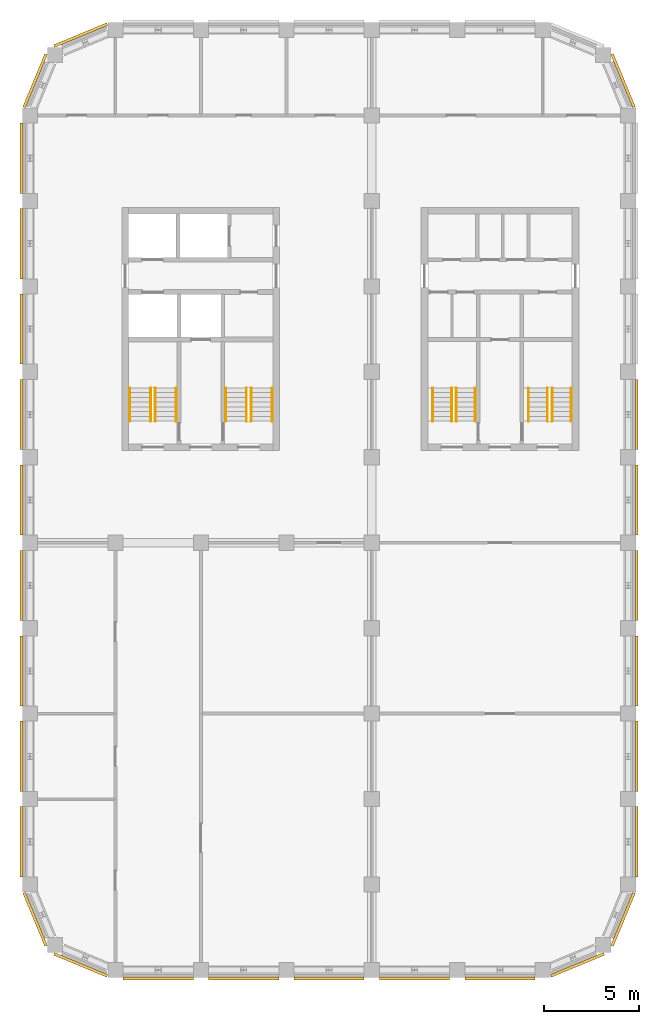
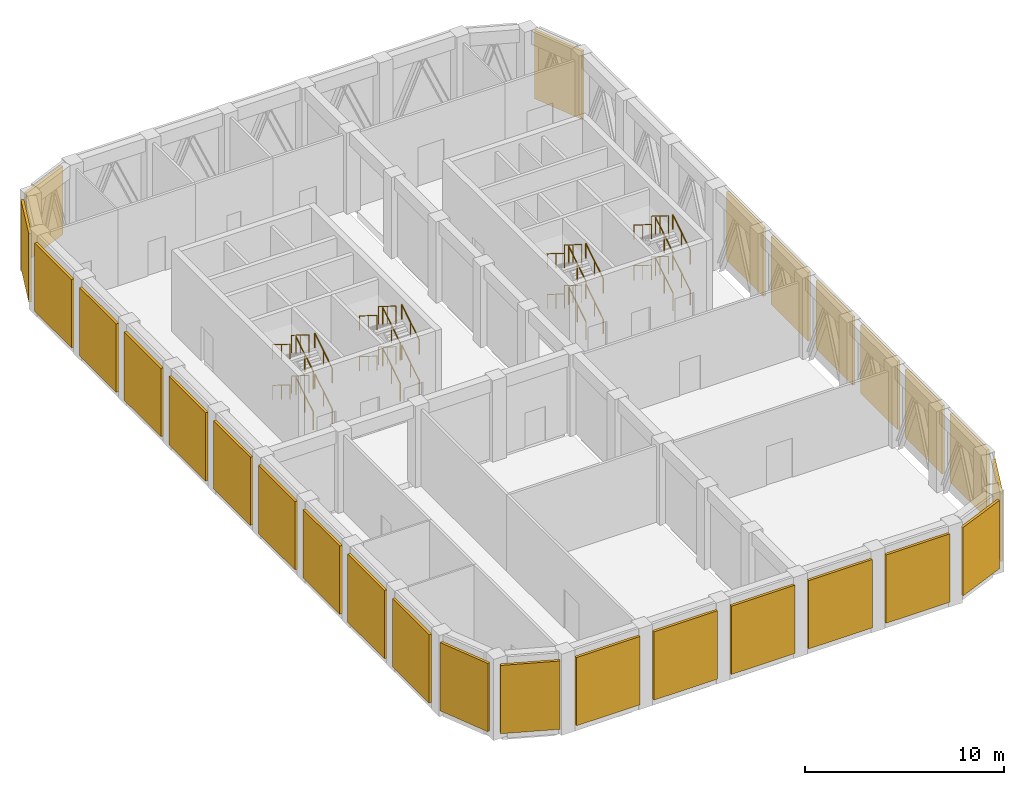
# One storey, part 6 of 7: 32 railings, 27 shading devices.
"""IFC4 building model written with IfcOpenShell, lengths in metres."""

from ifc_helpers import new_model, si_unit, direction, frame, origin, origin_2d, place, context, subcontext, project, spatial, rectangle, circle, extrude, material, type_object, element, save


model = new_model("IFC4")

# Units and contexts
model_context = context("Model", 3, precision=1e-05, world=origin(), true_north=direction((0.0, 1.0)))
body_context = subcontext(model_context, "Body", "Model", "MODEL_VIEW")
ifc_project = project(units=[si_unit("LENGTHUNIT", "METRE"), si_unit("AREAUNIT", "SQUARE_METRE"), si_unit("VOLUMEUNIT", "CUBIC_METRE"), si_unit("PLANEANGLEUNIT", "RADIAN"), si_unit("MASSUNIT", "GRAM", prefix="KILO")], contexts=[model_context])

# Site, building, storey
site_placement = place(None, origin())
site = spatial("IfcSite", under=ifc_project, at=site_placement, CompositionType="ELEMENT")
building_placement = place(site_placement, origin())
building = spatial("IfcBuilding", under=site, at=building_placement, Name="Girih Gate Residences", CompositionType="ELEMENT")
storey_placement = place(building_placement, frame((0.0, 0.0, 201.89990234375)))
storey = spatial("IfcBuildingStorey", under=building, at=storey_placement, Name="L56", CompositionType="ELEMENT", Elevation=201.89990234375)

# Shading devices
ifc_material_1 = material(Name="Aluminium louvre", Category="aluminium")
shading_device_type = type_object("IfcShadingDeviceType", Name="Plant louvre band", PredefinedType="USERDEFINED", material=ifc_material_1)
for number, where, z_axis, x_axis, name in (
    (1, (28.826904296875, 0.26953125, 0.39990234375), (0.0, 0.0, 1.0), (0.923879532511, 0.382683432365, 0.0), "Plant louvre SE0270_0000.0"),
    (2, (31.23046875, 2.673095703125, 0.39990234375), (0.0, 0.0, 1.0), (0.382683432365, 0.923879532511, 0.0), "Plant louvre SE0302_0013.0"),
):
    element("IfcShadingDevice", number, at=place(storey_placement, frame(where, z_axis=z_axis, x_axis=x_axis)), inside=storey, type_object=shading_device_type, Name=name, ObjectType="LOUVRE", PredefinedType="USERDEFINED", context=body_context, shape_type="SweptSolid", body=[
        extrude(rectangle(XDim=3.026611328125, YDim=0.14990234375, at=origin_2d()), origin(), (0.0, 0.0, 1.0), 4.195068359375),
    ])
for number, where, z_axis, x_axis, name in (
    (3, (31.949951171875, 6.75, 0.39990234375), (0.0, 0.0, 1.0), (0.0, 1.0, 0.0), "Plant louvre E0315_0045.0"),
    (4, (31.949951171875, 11.25, 0.39990234375), (0.0, 0.0, 1.0), (0.0, 1.0, 0.0), "Plant louvre E0315_0045.1"),
    (5, (31.949951171875, 15.75, 0.39990234375), (0.0, 0.0, 1.0), (0.0, 1.0, 0.0), "Plant louvre E0315_0045.2"),
    (6, (31.949951171875, 20.25, 0.39990234375), (0.0, 0.0, 1.0), (0.0, 1.0, 0.0), "Plant louvre E0315_0045.3"),
    (7, (31.949951171875, 24.75, 0.39990234375), (0.0, 0.0, 1.0), (0.0, 1.0, 0.0), "Plant louvre E0315_0045.4"),
    (8, (31.949951171875, 29.25, 0.39990234375), (0.0, 0.0, 1.0), (0.0, 1.0, 0.0), "Plant louvre E0315_0045.5"),
):
    element("IfcShadingDevice", number, at=place(storey_placement, frame(where, z_axis=z_axis, x_axis=x_axis)), inside=storey, type_object=shading_device_type, Name=name, ObjectType="LOUVRE", PredefinedType="USERDEFINED", context=body_context, shape_type="SweptSolid", body=[
        extrude(rectangle(XDim=3.699951171875, YDim=0.14990234375, at=origin_2d()), origin(), (0.0, 0.0, 1.0), 4.195068359375),
    ])
for number, where, z_axis, x_axis, name in (
    (9, (31.23046875, 46.826904296875, 0.39990234375), (0.0, 0.0, 1.0), (-0.382683432365, 0.923879532511, 0.0), "Plant louvre NE0315_0450.0"),
    (10, (2.673095703125, 49.23046875, 0.39990234375), (0.0, 0.0, 1.0), (-0.923879532511, -0.382683432365, 0.0), "Plant louvre NW0045_0495.0"),
    (11, (0.26953125, 46.826904296875, 0.39990234375), (0.0, 0.0, 1.0), (-0.382683432365, -0.923879532511, 0.0), "Plant louvre NW0013_0482.0"),
):
    element("IfcShadingDevice", number, at=place(storey_placement, frame(where, z_axis=z_axis, x_axis=x_axis)), inside=storey, type_object=shading_device_type, Name=name, ObjectType="LOUVRE", PredefinedType="USERDEFINED", context=body_context, shape_type="SweptSolid", body=[
        extrude(rectangle(XDim=3.026611328125, YDim=0.14990234375, at=origin_2d()), origin(), (0.0, 0.0, 1.0), 4.195068359375),
    ])
for number, where, z_axis, x_axis, name in (
    (12, (-0.449951171875, 42.75, 0.39990234375), (0.0, 0.0, 1.0), (0.0, -1.0, 0.0), "Plant louvre W0000_0450.0"),
    (13, (-0.449951171875, 38.25, 0.39990234375), (0.0, 0.0, 1.0), (0.0, -1.0, 0.0), "Plant louvre W0000_0450.1"),
    (14, (-0.449951171875, 33.75, 0.39990234375), (0.0, 0.0, 1.0), (0.0, -1.0, 0.0), "Plant louvre W0000_0450.2"),
    (15, (-0.449951171875, 29.25, 0.39990234375), (0.0, 0.0, 1.0), (0.0, -1.0, 0.0), "Plant louvre W0000_0450.3"),
    (16, (-0.449951171875, 24.75, 0.39990234375), (0.0, 0.0, 1.0), (0.0, -1.0, 0.0), "Plant louvre W0000_0450.4"),
    (17, (-0.449951171875, 20.25, 0.39990234375), (0.0, 0.0, 1.0), (0.0, -1.0, 0.0), "Plant louvre W0000_0450.5"),
    (18, (-0.449951171875, 15.75, 0.39990234375), (0.0, 0.0, 1.0), (0.0, -1.0, 0.0), "Plant louvre W0000_0450.6"),
    (19, (-0.449951171875, 11.25, 0.39990234375), (0.0, 0.0, 1.0), (0.0, -1.0, 0.0), "Plant louvre W0000_0450.7"),
    (20, (-0.449951171875, 6.75, 0.39990234375), (0.0, 0.0, 1.0), (0.0, -1.0, 0.0), "Plant louvre W0000_0450.8"),
):
    element("IfcShadingDevice", number, at=place(storey_placement, frame(where, z_axis=z_axis, x_axis=x_axis)), inside=storey, type_object=shading_device_type, Name=name, ObjectType="LOUVRE", PredefinedType="USERDEFINED", context=body_context, shape_type="SweptSolid", body=[
        extrude(rectangle(XDim=3.699951171875, YDim=0.14990234375, at=origin_2d()), origin(), (0.0, 0.0, 1.0), 4.195068359375),
    ])
for number, where, z_axis, x_axis, name in (
    (21, (0.26953125, 2.673095703125, 0.39990234375), (0.0, 0.0, 1.0), (0.382683432365, -0.923879532511, 0.0), "Plant louvre SW0000_0045.0"),
    (22, (2.673095703125, 0.26953125, 0.39990234375), (0.0, 0.0, 1.0), (0.923879532511, -0.382683432365, 0.0), "Plant louvre SW0013_0013.0"),
):
    element("IfcShadingDevice", number, at=place(storey_placement, frame(where, z_axis=z_axis, x_axis=x_axis)), inside=storey, type_object=shading_device_type, Name=name, ObjectType="LOUVRE", PredefinedType="USERDEFINED", context=body_context, shape_type="SweptSolid", body=[
        extrude(rectangle(XDim=3.026611328125, YDim=0.14990234375, at=origin_2d()), origin(), (0.0, 0.0, 1.0), 4.195068359375),
    ])
for number, where, z_axis, x_axis, name in (
    (23, (6.75, -0.449951171875, 0.39990234375), (0.0, 0.0, 1.0), (1.0, 0.0, 0.0), "Plant louvre S0045_0000.0"),
    (24, (11.25, -0.449951171875, 0.39990234375), (0.0, 0.0, 1.0), (1.0, 0.0, 0.0), "Plant louvre S0045_0000.1"),
    (25, (15.75, -0.449951171875, 0.39990234375), (0.0, 0.0, 1.0), (1.0, 0.0, 0.0), "Plant louvre S0045_0000.2"),
    (26, (20.25, -0.449951171875, 0.39990234375), (0.0, 0.0, 1.0), (1.0, 0.0, 0.0), "Plant louvre S0045_0000.3"),
    (27, (24.75, -0.449951171875, 0.39990234375), (0.0, 0.0, 1.0), (1.0, 0.0, 0.0), "Plant louvre S0045_0000.4"),
):
    element("IfcShadingDevice", number, at=place(storey_placement, frame(where, z_axis=z_axis, x_axis=x_axis)), inside=storey, type_object=shading_device_type, Name=name, ObjectType="LOUVRE", PredefinedType="USERDEFINED", context=body_context, shape_type="SweptSolid", body=[
        extrude(rectangle(XDim=3.699951171875, YDim=0.14990234375, at=origin_2d()), origin(), (0.0, 0.0, 1.0), 4.195068359375),
    ])

# Railings
ifc_material_2 = material(Name="Stainless steel", Category="steel")
railing_type_1 = type_object("IfcRailingType", Name="Stair guard 1100", PredefinedType="GUARDRAIL", material=ifc_material_2)
railing_1_placement = place(storey_placement, frame((6.60009765625, 28.89990234375, 0.15625)))
element("IfcRailing", 28, at=railing_1_placement, inside=storey, type_object=railing_type_1, Name="L56 ST-W1 stair guard 1", PredefinedType="GUARDRAIL", context=body_context, shape_type="SweptSolid", body=[
    extrude(circle(Radius=0.02392578125, at=origin_2d()), frame((0.0, 0.0, 1.076171875), z_axis=(0.0, 0.848264130785, 0.52957337964), x_axis=(-1.0, 0.0, 0.0)), (0.0, 0.0, 1.0), 2.06298828125),
    extrude(circle(Radius=0.02099609375, at=origin_2d()), origin(), (0.0, 0.0, 1.0), 1.052001953125),
    extrude(circle(Radius=0.02099609375, at=origin_2d()), frame((0.0, 0.875, 0.54638671875)), (0.0, 0.0, 1.0), 1.052001953125),
    extrude(circle(Radius=0.02099609375, at=origin_2d()), frame((0.0, 1.75, 1.092529296875)), (0.0, 0.0, 1.0), 1.052001953125),
])
railing_2_placement = place(storey_placement, frame((6.35009765625, 30.64990234375, 1.405029296875)))
element("IfcRailing", 29, at=railing_2_placement, inside=storey, type_object=railing_type_1, Name="L56 ST-W1 stair guard 2", PredefinedType="GUARDRAIL", context=body_context, shape_type="SweptSolid", body=[
    extrude(circle(Radius=0.02392578125, at=origin_2d()), frame((0.0, 0.0, 1.076171875), z_axis=(0.0, -0.848264130785, 0.52957337964), x_axis=(1.0, 0.0, 0.0)), (0.0, 0.0, 1.0), 2.06298828125),
    extrude(circle(Radius=0.02099609375, at=origin_2d()), origin(), (0.0, 0.0, 1.0), 1.052001953125),
    extrude(circle(Radius=0.02099609375, at=origin_2d()), frame((0.0, -0.875, 0.54638671875)), (0.0, 0.0, 1.0), 1.052001953125),
    extrude(circle(Radius=0.02099609375, at=origin_2d()), frame((0.0, -1.75, 1.092529296875)), (0.0, 0.0, 1.0), 1.052001953125),
])
railing_3_placement = place(storey_placement, frame((6.60009765625, 28.89990234375, 2.65380859375)))
element("IfcRailing", 30, at=railing_3_placement, inside=storey, type_object=railing_type_1, Name="L56 ST-W1 stair guard 3", PredefinedType="GUARDRAIL", context=body_context, shape_type="SweptSolid", body=[
    extrude(circle(Radius=0.02392578125, at=origin_2d()), frame((0.0, 0.0, 1.076171875), z_axis=(0.0, 0.848264130785, 0.52957337964), x_axis=(-1.0, 0.0, 0.0)), (0.0, 0.0, 1.0), 2.06298828125),
    extrude(circle(Radius=0.02099609375, at=origin_2d()), origin(), (0.0, 0.0, 1.0), 1.052001953125),
    extrude(circle(Radius=0.02099609375, at=origin_2d()), frame((0.0, 0.875, 0.54638671875)), (0.0, 0.0, 1.0), 1.052001953125),
    extrude(circle(Radius=0.02099609375, at=origin_2d()), frame((0.0, 1.75, 1.092529296875)), (0.0, 0.0, 1.0), 1.052001953125),
])
railing_4_placement = place(storey_placement, frame((6.35009765625, 30.64990234375, 3.90234375)))
element("IfcRailing", 31, at=railing_4_placement, inside=storey, type_object=railing_type_1, Name="L56 ST-W1 stair guard 4", PredefinedType="GUARDRAIL", context=body_context, shape_type="SweptSolid", body=[
    extrude(circle(Radius=0.02392578125, at=origin_2d()), frame((0.0, 0.0, 1.076171875), z_axis=(0.0, -0.848210969184, 0.529658523726), x_axis=(1.0, 0.0, 0.0)), (0.0, 0.0, 1.0), 2.063232421875),
    extrude(circle(Radius=0.02099609375, at=origin_2d()), origin(), (0.0, 0.0, 1.0), 1.052001953125),
    extrude(circle(Radius=0.02099609375, at=origin_2d()), frame((0.0, -0.875, 0.54638671875)), (0.0, 0.0, 1.0), 1.052001953125),
    extrude(circle(Radius=0.02099609375, at=origin_2d()), frame((0.0, -1.75, 1.0927734375)), (0.0, 0.0, 1.0), 1.052001953125),
])
railing_5_placement = place(storey_placement, frame((11.64990234375, 28.89990234375, 0.15625)))
element("IfcRailing", 32, at=railing_5_placement, inside=storey, type_object=railing_type_1, Name="L56 ST-W2 stair guard 1", PredefinedType="GUARDRAIL", context=body_context, shape_type="SweptSolid", body=[
    extrude(circle(Radius=0.02392578125, at=origin_2d()), frame((0.0, 0.0, 1.076171875), z_axis=(0.0, 0.848264130785, 0.52957337964), x_axis=(-1.0, 0.0, 0.0)), (0.0, 0.0, 1.0), 2.06298828125),
    extrude(circle(Radius=0.02099609375, at=origin_2d()), origin(), (0.0, 0.0, 1.0), 1.052001953125),
    extrude(circle(Radius=0.02099609375, at=origin_2d()), frame((0.0, 0.875, 0.54638671875)), (0.0, 0.0, 1.0), 1.052001953125),
    extrude(circle(Radius=0.02099609375, at=origin_2d()), frame((0.0, 1.75, 1.092529296875)), (0.0, 0.0, 1.0), 1.052001953125),
])
railing_6_placement = place(storey_placement, frame((11.39990234375, 30.64990234375, 1.405029296875)))
element("IfcRailing", 33, at=railing_6_placement, inside=storey, type_object=railing_type_1, Name="L56 ST-W2 stair guard 2", PredefinedType="GUARDRAIL", context=body_context, shape_type="SweptSolid", body=[
    extrude(circle(Radius=0.02392578125, at=origin_2d()), frame((0.0, 0.0, 1.076171875), z_axis=(0.0, -0.848264130785, 0.52957337964), x_axis=(1.0, 0.0, 0.0)), (0.0, 0.0, 1.0), 2.06298828125),
    extrude(circle(Radius=0.02099609375, at=origin_2d()), origin(), (0.0, 0.0, 1.0), 1.052001953125),
    extrude(circle(Radius=0.02099609375, at=origin_2d()), frame((0.0, -0.875, 0.54638671875)), (0.0, 0.0, 1.0), 1.052001953125),
    extrude(circle(Radius=0.02099609375, at=origin_2d()), frame((0.0, -1.75, 1.092529296875)), (0.0, 0.0, 1.0), 1.052001953125),
])
railing_7_placement = place(storey_placement, frame((11.64990234375, 28.89990234375, 2.65380859375)))
element("IfcRailing", 34, at=railing_7_placement, inside=storey, type_object=railing_type_1, Name="L56 ST-W2 stair guard 3", PredefinedType="GUARDRAIL", context=body_context, shape_type="SweptSolid", body=[
    extrude(circle(Radius=0.02392578125, at=origin_2d()), frame((0.0, 0.0, 1.076171875), z_axis=(0.0, 0.848264130785, 0.52957337964), x_axis=(-1.0, 0.0, 0.0)), (0.0, 0.0, 1.0), 2.06298828125),
    extrude(circle(Radius=0.02099609375, at=origin_2d()), origin(), (0.0, 0.0, 1.0), 1.052001953125),
    extrude(circle(Radius=0.02099609375, at=origin_2d()), frame((0.0, 0.875, 0.54638671875)), (0.0, 0.0, 1.0), 1.052001953125),
    extrude(circle(Radius=0.02099609375, at=origin_2d()), frame((0.0, 1.75, 1.092529296875)), (0.0, 0.0, 1.0), 1.052001953125),
])
railing_8_placement = place(storey_placement, frame((11.39990234375, 30.64990234375, 3.90234375)))
element("IfcRailing", 35, at=railing_8_placement, inside=storey, type_object=railing_type_1, Name="L56 ST-W2 stair guard 4", PredefinedType="GUARDRAIL", context=body_context, shape_type="SweptSolid", body=[
    extrude(circle(Radius=0.02392578125, at=origin_2d()), frame((0.0, 0.0, 1.076171875), z_axis=(0.0, -0.848210969184, 0.529658523726), x_axis=(1.0, 0.0, 0.0)), (0.0, 0.0, 1.0), 2.063232421875),
    extrude(circle(Radius=0.02099609375, at=origin_2d()), origin(), (0.0, 0.0, 1.0), 1.052001953125),
    extrude(circle(Radius=0.02099609375, at=origin_2d()), frame((0.0, -0.875, 0.54638671875)), (0.0, 0.0, 1.0), 1.052001953125),
    extrude(circle(Radius=0.02099609375, at=origin_2d()), frame((0.0, -1.75, 1.0927734375)), (0.0, 0.0, 1.0), 1.052001953125),
])
railing_9_placement = place(storey_placement, frame((22.449951171875, 28.89990234375, 0.15625)))
element("IfcRailing", 36, at=railing_9_placement, inside=storey, type_object=railing_type_1, Name="L56 ST-C1 stair guard 1", PredefinedType="GUARDRAIL", context=body_context, shape_type="SweptSolid", body=[
    extrude(circle(Radius=0.02392578125, at=origin_2d()), frame((0.0, 0.0, 1.076171875), z_axis=(0.0, 0.848264130785, 0.52957337964), x_axis=(-1.0, 0.0, 0.0)), (0.0, 0.0, 1.0), 2.06298828125),
    extrude(circle(Radius=0.02099609375, at=origin_2d()), origin(), (0.0, 0.0, 1.0), 1.052001953125),
    extrude(circle(Radius=0.02099609375, at=origin_2d()), frame((0.0, 0.875, 0.54638671875)), (0.0, 0.0, 1.0), 1.052001953125),
    extrude(circle(Radius=0.02099609375, at=origin_2d()), frame((0.0, 1.75, 1.092529296875)), (0.0, 0.0, 1.0), 1.052001953125),
])
railing_10_placement = place(storey_placement, frame((22.199951171875, 30.64990234375, 1.405029296875)))
element("IfcRailing", 37, at=railing_10_placement, inside=storey, type_object=railing_type_1, Name="L56 ST-C1 stair guard 2", PredefinedType="GUARDRAIL", context=body_context, shape_type="SweptSolid", body=[
    extrude(circle(Radius=0.02392578125, at=origin_2d()), frame((0.0, 0.0, 1.076171875), z_axis=(0.0, -0.848264130785, 0.52957337964), x_axis=(1.0, 0.0, 0.0)), (0.0, 0.0, 1.0), 2.06298828125),
    extrude(circle(Radius=0.02099609375, at=origin_2d()), origin(), (0.0, 0.0, 1.0), 1.052001953125),
    extrude(circle(Radius=0.02099609375, at=origin_2d()), frame((0.0, -0.875, 0.54638671875)), (0.0, 0.0, 1.0), 1.052001953125),
    extrude(circle(Radius=0.02099609375, at=origin_2d()), frame((0.0, -1.75, 1.092529296875)), (0.0, 0.0, 1.0), 1.052001953125),
])
railing_11_placement = place(storey_placement, frame((22.449951171875, 28.89990234375, 2.65380859375)))
element("IfcRailing", 38, at=railing_11_placement, inside=storey, type_object=railing_type_1, Name="L56 ST-C1 stair guard 3", PredefinedType="GUARDRAIL", context=body_context, shape_type="SweptSolid", body=[
    extrude(circle(Radius=0.02392578125, at=origin_2d()), frame((0.0, 0.0, 1.076171875), z_axis=(0.0, 0.848264130785, 0.52957337964), x_axis=(-1.0, 0.0, 0.0)), (0.0, 0.0, 1.0), 2.06298828125),
    extrude(circle(Radius=0.02099609375, at=origin_2d()), origin(), (0.0, 0.0, 1.0), 1.052001953125),
    extrude(circle(Radius=0.02099609375, at=origin_2d()), frame((0.0, 0.875, 0.54638671875)), (0.0, 0.0, 1.0), 1.052001953125),
    extrude(circle(Radius=0.02099609375, at=origin_2d()), frame((0.0, 1.75, 1.092529296875)), (0.0, 0.0, 1.0), 1.052001953125),
])
railing_12_placement = place(storey_placement, frame((22.199951171875, 30.64990234375, 3.90234375)))
element("IfcRailing", 39, at=railing_12_placement, inside=storey, type_object=railing_type_1, Name="L56 ST-C1 stair guard 4", PredefinedType="GUARDRAIL", context=body_context, shape_type="SweptSolid", body=[
    extrude(circle(Radius=0.02392578125, at=origin_2d()), frame((0.0, 0.0, 1.076171875), z_axis=(0.0, -0.848210969184, 0.529658523726), x_axis=(1.0, 0.0, 0.0)), (0.0, 0.0, 1.0), 2.063232421875),
    extrude(circle(Radius=0.02099609375, at=origin_2d()), origin(), (0.0, 0.0, 1.0), 1.052001953125),
    extrude(circle(Radius=0.02099609375, at=origin_2d()), frame((0.0, -0.875, 0.54638671875)), (0.0, 0.0, 1.0), 1.052001953125),
    extrude(circle(Radius=0.02099609375, at=origin_2d()), frame((0.0, -1.75, 1.0927734375)), (0.0, 0.0, 1.0), 1.052001953125),
])
railing_13_placement = place(storey_placement, frame((27.5, 28.89990234375, 0.15625)))
element("IfcRailing", 40, at=railing_13_placement, inside=storey, type_object=railing_type_1, Name="L56 ST-C2 stair guard 1", PredefinedType="GUARDRAIL", context=body_context, shape_type="SweptSolid", body=[
    extrude(circle(Radius=0.02392578125, at=origin_2d()), frame((0.0, 0.0, 1.076171875), z_axis=(0.0, 0.848264130785, 0.52957337964), x_axis=(-1.0, 0.0, 0.0)), (0.0, 0.0, 1.0), 2.06298828125),
    extrude(circle(Radius=0.02099609375, at=origin_2d()), origin(), (0.0, 0.0, 1.0), 1.052001953125),
    extrude(circle(Radius=0.02099609375, at=origin_2d()), frame((0.0, 0.875, 0.54638671875)), (0.0, 0.0, 1.0), 1.052001953125),
    extrude(circle(Radius=0.02099609375, at=origin_2d()), frame((0.0, 1.75, 1.092529296875)), (0.0, 0.0, 1.0), 1.052001953125),
])
railing_14_placement = place(storey_placement, frame((27.25, 30.64990234375, 1.405029296875)))
element("IfcRailing", 41, at=railing_14_placement, inside=storey, type_object=railing_type_1, Name="L56 ST-C2 stair guard 2", PredefinedType="GUARDRAIL", context=body_context, shape_type="SweptSolid", body=[
    extrude(circle(Radius=0.02392578125, at=origin_2d()), frame((0.0, 0.0, 1.076171875), z_axis=(0.0, -0.848264130785, 0.52957337964), x_axis=(1.0, 0.0, 0.0)), (0.0, 0.0, 1.0), 2.06298828125),
    extrude(circle(Radius=0.02099609375, at=origin_2d()), origin(), (0.0, 0.0, 1.0), 1.052001953125),
    extrude(circle(Radius=0.02099609375, at=origin_2d()), frame((0.0, -0.875, 0.54638671875)), (0.0, 0.0, 1.0), 1.052001953125),
    extrude(circle(Radius=0.02099609375, at=origin_2d()), frame((0.0, -1.75, 1.092529296875)), (0.0, 0.0, 1.0), 1.052001953125),
])
railing_15_placement = place(storey_placement, frame((27.5, 28.89990234375, 2.65380859375)))
element("IfcRailing", 42, at=railing_15_placement, inside=storey, type_object=railing_type_1, Name="L56 ST-C2 stair guard 3", PredefinedType="GUARDRAIL", context=body_context, shape_type="SweptSolid", body=[
    extrude(circle(Radius=0.02392578125, at=origin_2d()), frame((0.0, 0.0, 1.076171875), z_axis=(0.0, 0.848264130785, 0.52957337964), x_axis=(-1.0, 0.0, 0.0)), (0.0, 0.0, 1.0), 2.06298828125),
    extrude(circle(Radius=0.02099609375, at=origin_2d()), origin(), (0.0, 0.0, 1.0), 1.052001953125),
    extrude(circle(Radius=0.02099609375, at=origin_2d()), frame((0.0, 0.875, 0.54638671875)), (0.0, 0.0, 1.0), 1.052001953125),
    extrude(circle(Radius=0.02099609375, at=origin_2d()), frame((0.0, 1.75, 1.092529296875)), (0.0, 0.0, 1.0), 1.052001953125),
])
railing_16_placement = place(storey_placement, frame((27.25, 30.64990234375, 3.90234375)))
element("IfcRailing", 43, at=railing_16_placement, inside=storey, type_object=railing_type_1, Name="L56 ST-C2 stair guard 4", PredefinedType="GUARDRAIL", context=body_context, shape_type="SweptSolid", body=[
    extrude(circle(Radius=0.02392578125, at=origin_2d()), frame((0.0, 0.0, 1.076171875), z_axis=(0.0, -0.848210969184, 0.529658523726), x_axis=(1.0, 0.0, 0.0)), (0.0, 0.0, 1.0), 2.063232421875),
    extrude(circle(Radius=0.02099609375, at=origin_2d()), origin(), (0.0, 0.0, 1.0), 1.052001953125),
    extrude(circle(Radius=0.02099609375, at=origin_2d()), frame((0.0, -0.875, 0.54638671875)), (0.0, 0.0, 1.0), 1.052001953125),
    extrude(circle(Radius=0.02099609375, at=origin_2d()), frame((0.0, -1.75, 1.0927734375)), (0.0, 0.0, 1.0), 1.052001953125),
])
railing_type_2 = type_object("IfcRailingType", Name="Stair handrail 900", PredefinedType="HANDRAIL", material=ifc_material_2)
railing_17_placement = place(storey_placement, frame((7.699951171875, 28.89990234375, 0.15625)))
element("IfcRailing", 44, at=railing_17_placement, inside=storey, type_object=railing_type_2, Name="L56 ST-W1 stair handrail 1", PredefinedType="HANDRAIL", context=body_context, shape_type="SweptSolid", body=[
    extrude(circle(Radius=0.02392578125, at=origin_2d()), frame((0.0, 0.0, 0.8857421875), z_axis=(0.0, 0.848264130785, 0.52957337964), x_axis=(-1.0, 0.0, 0.0)), (0.0, 0.0, 1.0), 2.06298828125),
    extrude(circle(Radius=0.02099609375, at=origin_2d()), origin(), (0.0, 0.0, 1.0), 0.86181640625),
    extrude(circle(Radius=0.02099609375, at=origin_2d()), frame((0.0, 0.875, 0.54638671875)), (0.0, 0.0, 1.0), 0.86181640625),
    extrude(circle(Radius=0.02099609375, at=origin_2d()), frame((0.0, 1.75, 1.092529296875)), (0.0, 0.0, 1.0), 0.86181640625),
])
railing_18_placement = place(storey_placement, frame((5.25, 30.64990234375, 1.405029296875)))
element("IfcRailing", 45, at=railing_18_placement, inside=storey, type_object=railing_type_2, Name="L56 ST-W1 stair handrail 2", PredefinedType="HANDRAIL", context=body_context, shape_type="SweptSolid", body=[
    extrude(circle(Radius=0.02392578125, at=origin_2d()), frame((0.0, 0.0, 0.8857421875), z_axis=(0.0, -0.848264130785, 0.52957337964), x_axis=(1.0, 0.0, 0.0)), (0.0, 0.0, 1.0), 2.06298828125),
    extrude(circle(Radius=0.02099609375, at=origin_2d()), origin(), (0.0, 0.0, 1.0), 0.86181640625),
    extrude(circle(Radius=0.02099609375, at=origin_2d()), frame((0.0, -0.875, 0.54638671875)), (0.0, 0.0, 1.0), 0.86181640625),
    extrude(circle(Radius=0.02099609375, at=origin_2d()), frame((0.0, -1.75, 1.092529296875)), (0.0, 0.0, 1.0), 0.86181640625),
])
railing_19_placement = place(storey_placement, frame((7.699951171875, 28.89990234375, 2.65380859375)))
element("IfcRailing", 46, at=railing_19_placement, inside=storey, type_object=railing_type_2, Name="L56 ST-W1 stair handrail 3", PredefinedType="HANDRAIL", context=body_context, shape_type="SweptSolid", body=[
    extrude(circle(Radius=0.02392578125, at=origin_2d()), frame((0.0, 0.0, 0.8857421875), z_axis=(0.0, 0.848264130785, 0.52957337964), x_axis=(-1.0, 0.0, 0.0)), (0.0, 0.0, 1.0), 2.06298828125),
    extrude(circle(Radius=0.02099609375, at=origin_2d()), origin(), (0.0, 0.0, 1.0), 0.86181640625),
    extrude(circle(Radius=0.02099609375, at=origin_2d()), frame((0.0, 0.875, 0.54638671875)), (0.0, 0.0, 1.0), 0.86181640625),
    extrude(circle(Radius=0.02099609375, at=origin_2d()), frame((0.0, 1.75, 1.092529296875)), (0.0, 0.0, 1.0), 0.86181640625),
])
railing_20_placement = place(storey_placement, frame((5.25, 30.64990234375, 3.90234375)))
element("IfcRailing", 47, at=railing_20_placement, inside=storey, type_object=railing_type_2, Name="L56 ST-W1 stair handrail 4", PredefinedType="HANDRAIL", context=body_context, shape_type="SweptSolid", body=[
    extrude(circle(Radius=0.02392578125, at=origin_2d()), frame((0.0, 0.0, 0.8857421875), z_axis=(0.0, -0.848210969184, 0.529658523726), x_axis=(1.0, 0.0, 0.0)), (0.0, 0.0, 1.0), 2.063232421875),
    extrude(circle(Radius=0.02099609375, at=origin_2d()), origin(), (0.0, 0.0, 1.0), 0.86181640625),
    extrude(circle(Radius=0.02099609375, at=origin_2d()), frame((0.0, -0.875, 0.54638671875)), (0.0, 0.0, 1.0), 0.86181640625),
    extrude(circle(Radius=0.02099609375, at=origin_2d()), frame((0.0, -1.75, 1.0927734375)), (0.0, 0.0, 1.0), 0.86181640625),
])
railing_21_placement = place(storey_placement, frame((12.75, 28.89990234375, 0.15625)))
element("IfcRailing", 48, at=railing_21_placement, inside=storey, type_object=railing_type_2, Name="L56 ST-W2 stair handrail 1", PredefinedType="HANDRAIL", context=body_context, shape_type="SweptSolid", body=[
    extrude(circle(Radius=0.02392578125, at=origin_2d()), frame((0.0, 0.0, 0.8857421875), z_axis=(0.0, 0.848264130785, 0.52957337964), x_axis=(-1.0, 0.0, 0.0)), (0.0, 0.0, 1.0), 2.06298828125),
    extrude(circle(Radius=0.02099609375, at=origin_2d()), origin(), (0.0, 0.0, 1.0), 0.86181640625),
    extrude(circle(Radius=0.02099609375, at=origin_2d()), frame((0.0, 0.875, 0.54638671875)), (0.0, 0.0, 1.0), 0.86181640625),
    extrude(circle(Radius=0.02099609375, at=origin_2d()), frame((0.0, 1.75, 1.092529296875)), (0.0, 0.0, 1.0), 0.86181640625),
])
railing_22_placement = place(storey_placement, frame((10.300048828125, 30.64990234375, 1.405029296875)))
element("IfcRailing", 49, at=railing_22_placement, inside=storey, type_object=railing_type_2, Name="L56 ST-W2 stair handrail 2", PredefinedType="HANDRAIL", context=body_context, shape_type="SweptSolid", body=[
    extrude(circle(Radius=0.02392578125, at=origin_2d()), frame((0.0, 0.0, 0.8857421875), z_axis=(0.0, -0.848264130785, 0.52957337964), x_axis=(1.0, 0.0, 0.0)), (0.0, 0.0, 1.0), 2.06298828125),
    extrude(circle(Radius=0.02099609375, at=origin_2d()), origin(), (0.0, 0.0, 1.0), 0.86181640625),
    extrude(circle(Radius=0.02099609375, at=origin_2d()), frame((0.0, -0.875, 0.54638671875)), (0.0, 0.0, 1.0), 0.86181640625),
    extrude(circle(Radius=0.02099609375, at=origin_2d()), frame((0.0, -1.75, 1.092529296875)), (0.0, 0.0, 1.0), 0.86181640625),
])
railing_23_placement = place(storey_placement, frame((12.75, 28.89990234375, 2.65380859375)))
element("IfcRailing", 50, at=railing_23_placement, inside=storey, type_object=railing_type_2, Name="L56 ST-W2 stair handrail 3", PredefinedType="HANDRAIL", context=body_context, shape_type="SweptSolid", body=[
    extrude(circle(Radius=0.02392578125, at=origin_2d()), frame((0.0, 0.0, 0.8857421875), z_axis=(0.0, 0.848264130785, 0.52957337964), x_axis=(-1.0, 0.0, 0.0)), (0.0, 0.0, 1.0), 2.06298828125),
    extrude(circle(Radius=0.02099609375, at=origin_2d()), origin(), (0.0, 0.0, 1.0), 0.86181640625),
    extrude(circle(Radius=0.02099609375, at=origin_2d()), frame((0.0, 0.875, 0.54638671875)), (0.0, 0.0, 1.0), 0.86181640625),
    extrude(circle(Radius=0.02099609375, at=origin_2d()), frame((0.0, 1.75, 1.092529296875)), (0.0, 0.0, 1.0), 0.86181640625),
])
railing_24_placement = place(storey_placement, frame((10.300048828125, 30.64990234375, 3.90234375)))
element("IfcRailing", 51, at=railing_24_placement, inside=storey, type_object=railing_type_2, Name="L56 ST-W2 stair handrail 4", PredefinedType="HANDRAIL", context=body_context, shape_type="SweptSolid", body=[
    extrude(circle(Radius=0.02392578125, at=origin_2d()), frame((0.0, 0.0, 0.8857421875), z_axis=(0.0, -0.848210969184, 0.529658523726), x_axis=(1.0, 0.0, 0.0)), (0.0, 0.0, 1.0), 2.063232421875),
    extrude(circle(Radius=0.02099609375, at=origin_2d()), origin(), (0.0, 0.0, 1.0), 0.86181640625),
    extrude(circle(Radius=0.02099609375, at=origin_2d()), frame((0.0, -0.875, 0.54638671875)), (0.0, 0.0, 1.0), 0.86181640625),
    extrude(circle(Radius=0.02099609375, at=origin_2d()), frame((0.0, -1.75, 1.0927734375)), (0.0, 0.0, 1.0), 0.86181640625),
])
railing_25_placement = place(storey_placement, frame((23.449951171875, 28.89990234375, 0.15625)))
element("IfcRailing", 52, at=railing_25_placement, inside=storey, type_object=railing_type_2, Name="L56 ST-C1 stair handrail 1", PredefinedType="HANDRAIL", context=body_context, shape_type="SweptSolid", body=[
    extrude(circle(Radius=0.02392578125, at=origin_2d()), frame((0.0, 0.0, 0.8857421875), z_axis=(0.0, 0.848264130785, 0.52957337964), x_axis=(-1.0, 0.0, 0.0)), (0.0, 0.0, 1.0), 2.06298828125),
    extrude(circle(Radius=0.02099609375, at=origin_2d()), origin(), (0.0, 0.0, 1.0), 0.86181640625),
    extrude(circle(Radius=0.02099609375, at=origin_2d()), frame((0.0, 0.875, 0.54638671875)), (0.0, 0.0, 1.0), 0.86181640625),
    extrude(circle(Radius=0.02099609375, at=origin_2d()), frame((0.0, 1.75, 1.092529296875)), (0.0, 0.0, 1.0), 0.86181640625),
])
railing_26_placement = place(storey_placement, frame((21.199951171875, 30.64990234375, 1.405029296875)))
element("IfcRailing", 53, at=railing_26_placement, inside=storey, type_object=railing_type_2, Name="L56 ST-C1 stair handrail 2", PredefinedType="HANDRAIL", context=body_context, shape_type="SweptSolid", body=[
    extrude(circle(Radius=0.02392578125, at=origin_2d()), frame((0.0, 0.0, 0.8857421875), z_axis=(0.0, -0.848264130785, 0.52957337964), x_axis=(1.0, 0.0, 0.0)), (0.0, 0.0, 1.0), 2.06298828125),
    extrude(circle(Radius=0.02099609375, at=origin_2d()), origin(), (0.0, 0.0, 1.0), 0.86181640625),
    extrude(circle(Radius=0.02099609375, at=origin_2d()), frame((0.0, -0.875, 0.54638671875)), (0.0, 0.0, 1.0), 0.86181640625),
    extrude(circle(Radius=0.02099609375, at=origin_2d()), frame((0.0, -1.75, 1.092529296875)), (0.0, 0.0, 1.0), 0.86181640625),
])
railing_27_placement = place(storey_placement, frame((23.449951171875, 28.89990234375, 2.65380859375)))
element("IfcRailing", 54, at=railing_27_placement, inside=storey, type_object=railing_type_2, Name="L56 ST-C1 stair handrail 3", PredefinedType="HANDRAIL", context=body_context, shape_type="SweptSolid", body=[
    extrude(circle(Radius=0.02392578125, at=origin_2d()), frame((0.0, 0.0, 0.8857421875), z_axis=(0.0, 0.848264130785, 0.52957337964), x_axis=(-1.0, 0.0, 0.0)), (0.0, 0.0, 1.0), 2.06298828125),
    extrude(circle(Radius=0.02099609375, at=origin_2d()), origin(), (0.0, 0.0, 1.0), 0.86181640625),
    extrude(circle(Radius=0.02099609375, at=origin_2d()), frame((0.0, 0.875, 0.54638671875)), (0.0, 0.0, 1.0), 0.86181640625),
    extrude(circle(Radius=0.02099609375, at=origin_2d()), frame((0.0, 1.75, 1.092529296875)), (0.0, 0.0, 1.0), 0.86181640625),
])
railing_28_placement = place(storey_placement, frame((21.199951171875, 30.64990234375, 3.90234375)))
element("IfcRailing", 55, at=railing_28_placement, inside=storey, type_object=railing_type_2, Name="L56 ST-C1 stair handrail 4", PredefinedType="HANDRAIL", context=body_context, shape_type="SweptSolid", body=[
    extrude(circle(Radius=0.02392578125, at=origin_2d()), frame((0.0, 0.0, 0.8857421875), z_axis=(0.0, -0.848210969184, 0.529658523726), x_axis=(1.0, 0.0, 0.0)), (0.0, 0.0, 1.0), 2.063232421875),
    extrude(circle(Radius=0.02099609375, at=origin_2d()), origin(), (0.0, 0.0, 1.0), 0.86181640625),
    extrude(circle(Radius=0.02099609375, at=origin_2d()), frame((0.0, -0.875, 0.54638671875)), (0.0, 0.0, 1.0), 0.86181640625),
    extrude(circle(Radius=0.02099609375, at=origin_2d()), frame((0.0, -1.75, 1.0927734375)), (0.0, 0.0, 1.0), 0.86181640625),
])
railing_29_placement = place(storey_placement, frame((28.5, 28.89990234375, 0.15625)))
element("IfcRailing", 56, at=railing_29_placement, inside=storey, type_object=railing_type_2, Name="L56 ST-C2 stair handrail 1", PredefinedType="HANDRAIL", context=body_context, shape_type="SweptSolid", body=[
    extrude(circle(Radius=0.02392578125, at=origin_2d()), frame((0.0, 0.0, 0.8857421875), z_axis=(0.0, 0.848264130785, 0.52957337964), x_axis=(-1.0, 0.0, 0.0)), (0.0, 0.0, 1.0), 2.06298828125),
    extrude(circle(Radius=0.02099609375, at=origin_2d()), origin(), (0.0, 0.0, 1.0), 0.86181640625),
    extrude(circle(Radius=0.02099609375, at=origin_2d()), frame((0.0, 0.875, 0.54638671875)), (0.0, 0.0, 1.0), 0.86181640625),
    extrude(circle(Radius=0.02099609375, at=origin_2d()), frame((0.0, 1.75, 1.092529296875)), (0.0, 0.0, 1.0), 0.86181640625),
])
railing_30_placement = place(storey_placement, frame((26.25, 30.64990234375, 1.405029296875)))
element("IfcRailing", 57, at=railing_30_placement, inside=storey, type_object=railing_type_2, Name="L56 ST-C2 stair handrail 2", PredefinedType="HANDRAIL", context=body_context, shape_type="SweptSolid", body=[
    extrude(circle(Radius=0.02392578125, at=origin_2d()), frame((0.0, 0.0, 0.8857421875), z_axis=(0.0, -0.848264130785, 0.52957337964), x_axis=(1.0, 0.0, 0.0)), (0.0, 0.0, 1.0), 2.06298828125),
    extrude(circle(Radius=0.02099609375, at=origin_2d()), origin(), (0.0, 0.0, 1.0), 0.86181640625),
    extrude(circle(Radius=0.02099609375, at=origin_2d()), frame((0.0, -0.875, 0.54638671875)), (0.0, 0.0, 1.0), 0.86181640625),
    extrude(circle(Radius=0.02099609375, at=origin_2d()), frame((0.0, -1.75, 1.092529296875)), (0.0, 0.0, 1.0), 0.86181640625),
])
railing_31_placement = place(storey_placement, frame((28.5, 28.89990234375, 2.65380859375)))
element("IfcRailing", 58, at=railing_31_placement, inside=storey, type_object=railing_type_2, Name="L56 ST-C2 stair handrail 3", PredefinedType="HANDRAIL", context=body_context, shape_type="SweptSolid", body=[
    extrude(circle(Radius=0.02392578125, at=origin_2d()), frame((0.0, 0.0, 0.8857421875), z_axis=(0.0, 0.848264130785, 0.52957337964), x_axis=(-1.0, 0.0, 0.0)), (0.0, 0.0, 1.0), 2.06298828125),
    extrude(circle(Radius=0.02099609375, at=origin_2d()), origin(), (0.0, 0.0, 1.0), 0.86181640625),
    extrude(circle(Radius=0.02099609375, at=origin_2d()), frame((0.0, 0.875, 0.54638671875)), (0.0, 0.0, 1.0), 0.86181640625),
    extrude(circle(Radius=0.02099609375, at=origin_2d()), frame((0.0, 1.75, 1.092529296875)), (0.0, 0.0, 1.0), 0.86181640625),
])
railing_32_placement = place(storey_placement, frame((26.25, 30.64990234375, 3.90234375)))
element("IfcRailing", 59, at=railing_32_placement, inside=storey, type_object=railing_type_2, Name="L56 ST-C2 stair handrail 4", PredefinedType="HANDRAIL", context=body_context, shape_type="SweptSolid", body=[
    extrude(circle(Radius=0.02392578125, at=origin_2d()), frame((0.0, 0.0, 0.8857421875), z_axis=(0.0, -0.848210969184, 0.529658523726), x_axis=(1.0, 0.0, 0.0)), (0.0, 0.0, 1.0), 2.063232421875),
    extrude(circle(Radius=0.02099609375, at=origin_2d()), origin(), (0.0, 0.0, 1.0), 0.86181640625),
    extrude(circle(Radius=0.02099609375, at=origin_2d()), frame((0.0, -0.875, 0.54638671875)), (0.0, 0.0, 1.0), 0.86181640625),
    extrude(circle(Radius=0.02099609375, at=origin_2d()), frame((0.0, -1.75, 1.0927734375)), (0.0, 0.0, 1.0), 0.86181640625),
])

save(model, "model.ifc")
